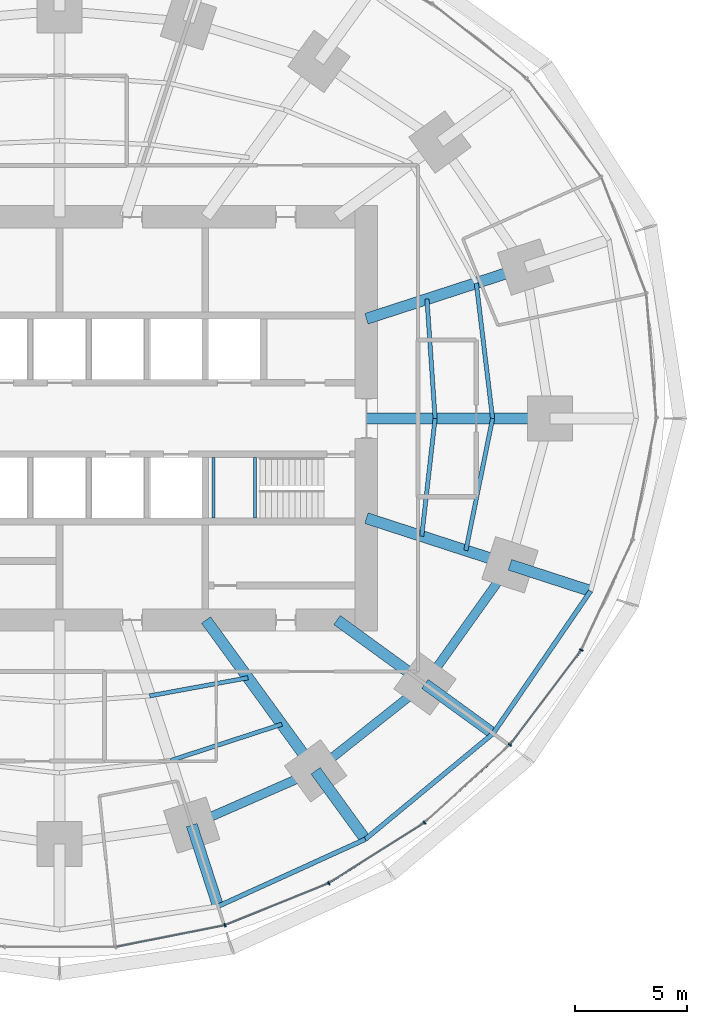
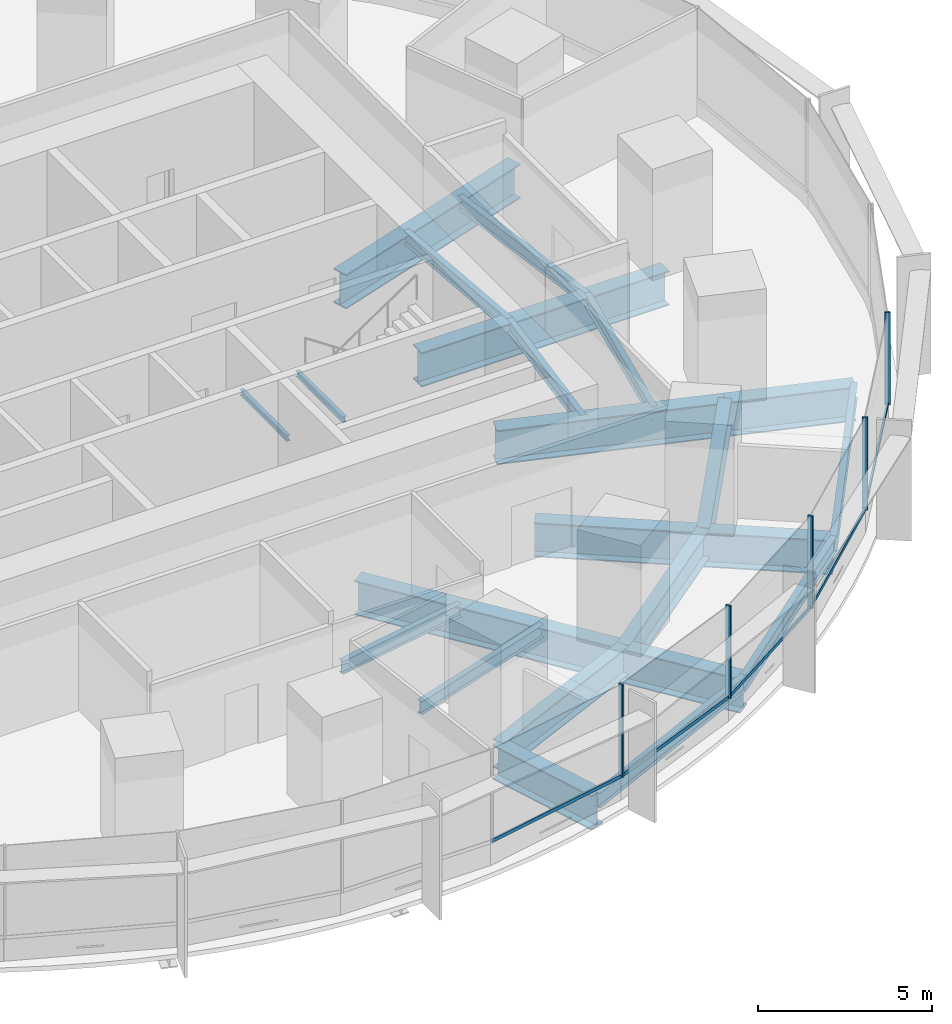
# One storey, part 5 of 15: 23 beams, 10 members, 2 elements without a shape of their own.
"""IFC4 building model written with IfcOpenShell, lengths in metres."""

from ifc_helpers import new_model, si_unit, direction, frame, origin, origin_2d, place, context, subcontext, project, spatial, rectangle, i_section, extrude, material, material_profile, profile_set, type_object, element, aggregate, save


model = new_model("IFC4")

# Units and contexts
model_context = context("Model", 3, precision=1e-05, world=origin(), true_north=direction((0.0, 1.0)))
body_context = subcontext(model_context, "Body", "Model", "MODEL_VIEW")
ifc_project = project(units=[si_unit("LENGTHUNIT", "METRE"), si_unit("AREAUNIT", "SQUARE_METRE"), si_unit("VOLUMEUNIT", "CUBIC_METRE"), si_unit("PLANEANGLEUNIT", "RADIAN"), si_unit("MASSUNIT", "GRAM", prefix="KILO")], contexts=[model_context])

# Site, building, storey
site_placement = place(None, origin())
site = spatial("IfcSite", under=ifc_project, at=site_placement, CompositionType="ELEMENT")
building_placement = place(site_placement, origin())
building = spatial("IfcBuilding", under=site, at=building_placement, Name="Marramba Exchange Tower", CompositionType="ELEMENT")
storey_placement = place(building_placement, frame((0.0, 0.0, 74.199951171875)))
storey = spatial("IfcBuildingStorey", under=building, at=storey_placement, Name="L17", CompositionType="ELEMENT", Elevation=74.199951171875)

# Beams
ifc_material_1 = material(Name="Steel AS/NZS 3679.2 grade 300", Category="steel")
ifc_material_profile_1 = material_profile(ifc_material_1, i_section(OverallWidth=0.5, OverallDepth=1.199951171875, WebThickness=0.01611328125, FlangeThickness=0.0400390625, at=origin_2d()), Name="1200WB455")
ifc_profile_set_1 = profile_set([ifc_material_profile_1], Name="Steel AS/NZS 3679.2 grade 300")
beam_type_1 = type_object("IfcBeamType", Name="Cantilever girder 1200WB455", PredefinedType="BEAM", material=ifc_profile_set_1)
beam_1_placement = place(storey_placement, frame((5.899658203125, -18.156982421875, -0.760009765625), z_axis=(0.309009272901, -0.951059025119, 0.0), x_axis=(0.951059025119, 0.309009272901, 0.0)))
element("IfcBeam", 1, at=beam_1_placement, inside=storey, type_object=beam_type_1, Name="Cantilever girder L17 TC17", PredefinedType="BEAM", context=body_context, shape_type="SweptSolid", body=[
    extrude(i_section(OverallWidth=0.5, OverallDepth=1.199951171875, WebThickness=0.01611328125, FlangeThickness=0.0400390625, at=origin_2d()), origin(), (0.0, 0.0, 1.0), 3.809814453125),
])
beam_2_placement = place(storey_placement, frame((11.430419921875, -15.732666015625, -0.760009765625), z_axis=(0.587787232741, -0.809015555491, 0.0), x_axis=(0.809015555491, 0.587787232741, 0.0)))
element("IfcBeam", 2, at=beam_2_placement, inside=storey, type_object=beam_type_1, Name="Cantilever girder L17 TC18", PredefinedType="BEAM", context=body_context, shape_type="SweptSolid", body=[
    extrude(i_section(OverallWidth=0.5, OverallDepth=1.199951171875, WebThickness=0.01611328125, FlangeThickness=0.0400390625, at=origin_2d()), origin(), (0.0, 0.0, 1.0), 3.7763671875),
])
beam_3_placement = place(storey_placement, frame((16.3154296875, -11.853759765625, -0.760009765625), z_axis=(0.809008346081, -0.587797155463, 0.0), x_axis=(0.587797155463, 0.809008346081, 0.0)))
element("IfcBeam", 3, at=beam_3_placement, inside=storey, type_object=beam_type_1, Name="Cantilever girder L17 TC19", PredefinedType="BEAM", context=body_context, shape_type="SweptSolid", body=[
    extrude(i_section(OverallWidth=0.5, OverallDepth=1.199951171875, WebThickness=0.01611328125, FlangeThickness=0.0400390625, at=origin_2d()), origin(), (0.0, 0.0, 1.0), 3.76025390625),
])
beam_4_placement = place(storey_placement, frame((20.109375, -6.533935546875, -0.760009765625), z_axis=(0.951048759501, -0.309040866314, 0.0), x_axis=(0.309040866314, 0.951048759501, 0.0)))
element("IfcBeam", 4, at=beam_4_placement, inside=storey, type_object=beam_type_1, Name="Cantilever girder L17 TC20", PredefinedType="BEAM", context=body_context, shape_type="SweptSolid", body=[
    extrude(i_section(OverallWidth=0.5, OverallDepth=1.199951171875, WebThickness=0.01611328125, FlangeThickness=0.0400390625, at=origin_2d()), origin(), (0.0, 0.0, 1.0), 3.78564453125),
])
ifc_material_2 = material(Name="Steel AS/NZS 3679.1 grade 300", Category="steel")
ifc_material_profile_2 = material_profile(ifc_material_2, i_section(OverallWidth=0.18994140625, OverallDepth=0.4541015625, WebThickness=0.008544921875, FlangeThickness=0.0126953125, FilletRadius=0.011474609375, at=origin_2d()), Name="460UB67.1")
ifc_profile_set_2 = profile_set([ifc_material_profile_2], Name="Steel AS/NZS 3679.1 grade 300")
beam_type_2 = type_object("IfcBeamType", Name="Floor joist 460UB67.1", PredefinedType="JOIST", material=ifc_profile_set_2)
beam_5_placement = place(storey_placement, frame((16.7666015625, 0.0, -0.386962890625), z_axis=(-0.068096259546, 0.99767875563, 0.0), x_axis=(-0.99767875563, -0.068096259546, 0.0)))
element("IfcBeam", 5, at=beam_5_placement, inside=storey, type_object=beam_type_2, Name="Joist L17 bay 01 row 1", PredefinedType="JOIST", context=body_context, shape_type="SweptSolid", body=[
    extrude(i_section(OverallWidth=0.18994140625, OverallDepth=0.4541015625, WebThickness=0.008544921875, FlangeThickness=0.0126953125, FilletRadius=0.011474609375, at=origin_2d()), origin(), (0.0, 0.0, 1.0), 5.342041015625),
])
beam_6_placement = place(storey_placement, frame((19.333251953125, 0.0, -0.386962890625), z_axis=(-0.119523078538, 0.992831422597, 0.0), x_axis=(-0.992831422597, -0.119523078538, 0.0)))
element("IfcBeam", 6, at=beam_6_placement, inside=storey, type_object=beam_type_2, Name="Joist L17 bay 01 row 2", PredefinedType="JOIST", context=body_context, shape_type="SweptSolid", body=[
    extrude(i_section(OverallWidth=0.18994140625, OverallDepth=0.4541015625, WebThickness=0.008544921875, FlangeThickness=0.0126953125, FilletRadius=0.011474609375, at=origin_2d()), origin(), (0.0, 0.0, 1.0), 6.089111328125),
])
beam_7_placement = place(storey_placement, frame((4.0244140625, -12.3857421875, -0.386962890625), z_axis=(0.983455754421, 0.181148500119, 0.0), x_axis=(-0.181148500119, 0.983455754421, 0.0)))
element("IfcBeam", 7, at=beam_7_placement, inside=storey, type_object=beam_type_2, Name="Joist L17 bay 17 row 1", PredefinedType="JOIST", context=body_context, shape_type="SweptSolid", body=[
    extrude(i_section(OverallWidth=0.18994140625, OverallDepth=0.4541015625, WebThickness=0.008544921875, FlangeThickness=0.0126953125, FilletRadius=0.011474609375, at=origin_2d()), origin(), (0.0, 0.0, 1.0), 4.4609375),
])
beam_8_placement = place(storey_placement, frame((4.9619140625, -15.271484375, -0.386962890625), z_axis=(0.950764024931, 0.309915744834, 0.0), x_axis=(-0.309915744834, 0.950764024931, 0.0)))
element("IfcBeam", 8, at=beam_8_placement, inside=storey, type_object=beam_type_2, Name="Joist L17 bay 17 row 2", PredefinedType="JOIST", context=body_context, shape_type="SweptSolid", body=[
    extrude(i_section(OverallWidth=0.18994140625, OverallDepth=0.4541015625, WebThickness=0.008544921875, FlangeThickness=0.0126953125, FilletRadius=0.011474609375, at=origin_2d()), origin(), (0.0, 0.0, 1.0), 5.2158203125),
])
beam_9_placement = place(storey_placement, frame((16.169677734375, -5.25390625, -0.386962890625), z_axis=(0.112888968594, 0.993607609054, 0.0), x_axis=(-0.993607609054, 0.112888968594, 0.0)))
element("IfcBeam", 9, at=beam_9_placement, inside=storey, type_object=beam_type_2, Name="Joist L17 bay 20 row 1", PredefinedType="JOIST", context=body_context, shape_type="SweptSolid", body=[
    extrude(i_section(OverallWidth=0.18994140625, OverallDepth=0.4541015625, WebThickness=0.008544921875, FlangeThickness=0.0126953125, FilletRadius=0.011474609375, at=origin_2d()), origin(), (0.0, 0.0, 1.0), 5.28759765625),
])
beam_10_placement = place(storey_placement, frame((18.1396484375, -5.893798828125, -0.386962890625), z_axis=(0.198489047047, 0.980103105904, 0.0), x_axis=(-0.980103105904, 0.198489047047, 0.0)))
element("IfcBeam", 10, at=beam_10_placement, inside=storey, type_object=beam_type_2, Name="Joist L17 bay 20 row 2", PredefinedType="JOIST", context=body_context, shape_type="SweptSolid", body=[
    extrude(i_section(OverallWidth=0.18994140625, OverallDepth=0.4541015625, WebThickness=0.008544921875, FlangeThickness=0.0126953125, FilletRadius=0.011474609375, at=origin_2d()), origin(), (0.0, 0.0, 1.0), 6.013427734375),
])
ifc_material_profile_3 = material_profile(ifc_material_1, i_section(OverallWidth=0.5, OverallDepth=1.199951171875, WebThickness=0.01611328125, FlangeThickness=0.0400390625, at=origin_2d()), Name="1200WB455")
ifc_profile_set_3 = profile_set([ifc_material_profile_3], Name="Steel AS/NZS 3679.2 grade 300")
beam_type_3 = type_object("IfcBeamType", Name="Radial girder 1200WB455", PredefinedType="BEAM", material=ifc_profile_set_3)
beam_11_placement = place(storey_placement, frame((13.699951171875, 0.0, -0.760009765625), z_axis=(1.0, 0.0, 0.0), x_axis=(0.0, 1.0, 0.0)))
element("IfcBeam", 11, at=beam_11_placement, inside=storey, type_object=beam_type_3, Name="Radial girder L17 TC01", PredefinedType="BEAM", context=body_context, shape_type="SweptSolid", body=[
    extrude(i_section(OverallWidth=0.5, OverallDepth=1.199951171875, WebThickness=0.01611328125, FlangeThickness=0.0400390625, at=origin_2d()), origin(), (0.0, 0.0, 1.0), 8.199951171875),
])
beam_12_placement = place(storey_placement, frame((13.699951171875, 4.451416015625, -0.760009765625), z_axis=(0.951059990189, 0.309006302624, 0.0), x_axis=(-0.309006302624, 0.951059990189, 0.0)))
element("IfcBeam", 12, at=beam_12_placement, inside=storey, type_object=beam_type_3, Name="Radial girder L17 TC02", PredefinedType="BEAM", context=body_context, shape_type="SweptSolid", body=[
    extrude(i_section(OverallWidth=0.5, OverallDepth=1.199951171875, WebThickness=0.01611328125, FlangeThickness=0.0400390625, at=origin_2d()), origin(), (0.0, 0.0, 1.0), 7.47412109375),
])
beam_13_placement = place(storey_placement, frame((6.538818359375, -9.0, -0.760009765625), z_axis=(0.587787877172, -0.809015087282, 0.0), x_axis=(0.809015087282, 0.587787877172, 0.0)))
element("IfcBeam", 13, at=beam_13_placement, inside=storey, type_object=beam_type_3, Name="Radial girder L17 TC18", PredefinedType="BEAM", context=body_context, shape_type="SweptSolid", body=[
    extrude(i_section(OverallWidth=0.5, OverallDepth=1.199951171875, WebThickness=0.01611328125, FlangeThickness=0.0400390625, at=origin_2d()), origin(), (0.0, 0.0, 1.0), 8.322021484375),
])
beam_14_placement = place(storey_placement, frame((12.387451171875, -9.0, -0.760009765625), z_axis=(0.809025189606, -0.58777397236, 0.0), x_axis=(0.58777397236, 0.809025189606, 0.0)))
element("IfcBeam", 14, at=beam_14_placement, inside=storey, type_object=beam_type_3, Name="Radial girder L17 TC19", PredefinedType="BEAM", context=body_context, shape_type="SweptSolid", body=[
    extrude(i_section(OverallWidth=0.5, OverallDepth=1.199951171875, WebThickness=0.01611328125, FlangeThickness=0.0400390625, at=origin_2d()), origin(), (0.0, 0.0, 1.0), 4.855224609375),
])
beam_15_placement = place(storey_placement, frame((13.699951171875, -4.451416015625, -0.760009765625), z_axis=(0.951057759669, -0.309013167637, 0.0), x_axis=(0.309013167637, 0.951057759669, 0.0)))
element("IfcBeam", 15, at=beam_15_placement, inside=storey, type_object=beam_type_3, Name="Radial girder L17 TC20", PredefinedType="BEAM", context=body_context, shape_type="SweptSolid", body=[
    extrude(i_section(OverallWidth=0.5, OverallDepth=1.199951171875, WebThickness=0.01611328125, FlangeThickness=0.0400390625, at=origin_2d()), origin(), (0.0, 0.0, 1.0), 6.7392578125),
])
ifc_material_profile_4 = material_profile(ifc_material_1, i_section(OverallWidth=0.39990234375, OverallDepth=1.0, WebThickness=0.01611328125, FlangeThickness=0.031982421875, at=origin_2d()), Name="1000WB322")
ifc_profile_set_4 = profile_set([ifc_material_profile_4], Name="Steel AS/NZS 3679.2 grade 300")
beam_type_4 = type_object("IfcBeamType", Name="Ring beam 1000WB322", PredefinedType="SPANDREL", material=ifc_profile_set_4)
beam_16_placement = place(storey_placement, frame((5.899658203125, -18.156982421875, -0.659912109375), z_axis=(0.915876892158, 0.4014592363, 0.0), x_axis=(-0.4014592363, 0.915876892158, 0.0)))
element("IfcBeam", 16, at=beam_16_placement, inside=storey, type_object=beam_type_4, Name="Ring beam L17 TC17-TC18", PredefinedType="SPANDREL", context=body_context, shape_type="SweptSolid", body=[
    extrude(i_section(OverallWidth=0.39990234375, OverallDepth=1.0, WebThickness=0.01611328125, FlangeThickness=0.031982421875, at=origin_2d()), origin(), (0.0, 0.0, 1.0), 6.038818359375),
])
beam_17_placement = place(storey_placement, frame((11.430419921875, -15.732666015625, -0.659912109375), z_axis=(0.783139438128, 0.621846138887, 0.0), x_axis=(-0.621846138887, 0.783139438128, 0.0)))
element("IfcBeam", 17, at=beam_17_placement, inside=storey, type_object=beam_type_4, Name="Ring beam L17 TC18-TC19", PredefinedType="SPANDREL", context=body_context, shape_type="SweptSolid", body=[
    extrude(i_section(OverallWidth=0.39990234375, OverallDepth=1.0, WebThickness=0.01611328125, FlangeThickness=0.031982421875, at=origin_2d()), origin(), (0.0, 0.0, 1.0), 6.23779296875),
])
beam_18_placement = place(storey_placement, frame((16.3154296875, -11.853759765625, -0.659912109375), z_axis=(0.580637181111, 0.814162430914, 0.0), x_axis=(-0.814162430914, 0.580637181111, 0.0)))
element("IfcBeam", 18, at=beam_18_placement, inside=storey, type_object=beam_type_4, Name="Ring beam L17 TC19-TC20", PredefinedType="SPANDREL", context=body_context, shape_type="SweptSolid", body=[
    extrude(i_section(OverallWidth=0.39990234375, OverallDepth=1.0, WebThickness=0.01611328125, FlangeThickness=0.031982421875, at=origin_2d()), origin(), (0.0, 0.0, 1.0), 6.5341796875),
])
ifc_material_profile_5 = material_profile(ifc_material_2, i_section(OverallWidth=0.208984375, OverallDepth=0.528076171875, WebThickness=0.009521484375, FlangeThickness=0.01318359375, FilletRadius=0.013916015625, at=origin_2d()), Name="530UB82.0")
ifc_profile_set_5 = profile_set([ifc_material_profile_5], Name="Steel AS/NZS 3679.1 grade 300")
beam_type_5 = type_object("IfcBeamType", Name="Slab edge beam 530UB82.0", PredefinedType="SPANDREL", material=ifc_profile_set_5)
beam_19_placement = place(storey_placement, frame((7.076904296875, -21.7802734375, -0.424072265625), z_axis=(0.910126690081, 0.414330071324, 0.0), x_axis=(-0.414330071324, 0.910126690081, 0.0)))
element("IfcBeam", 19, at=beam_19_placement, inside=storey, type_object=beam_type_5, Name="Slab edge beam L17 TC17-TC18", PredefinedType="SPANDREL", context=body_context, shape_type="SweptSolid", body=[
    extrude(i_section(OverallWidth=0.208984375, OverallDepth=0.528076171875, WebThickness=0.009521484375, FlangeThickness=0.01318359375, FilletRadius=0.013916015625, at=origin_2d()), origin(), (0.0, 0.0, 1.0), 7.222412109375),
])
beam_20_placement = place(storey_placement, frame((13.650146484375, -18.787841796875, -0.424072265625), z_axis=(0.770353575372, 0.637616945283, 0.0), x_axis=(-0.637616945283, 0.770353575372, 0.0)))
element("IfcBeam", 20, at=beam_20_placement, inside=storey, type_object=beam_type_5, Name="Slab edge beam L17 TC18-TC19", PredefinedType="SPANDREL", context=body_context, shape_type="SweptSolid", body=[
    extrude(i_section(OverallWidth=0.208984375, OverallDepth=0.528076171875, WebThickness=0.009521484375, FlangeThickness=0.01318359375, FilletRadius=0.013916015625, at=origin_2d()), origin(), (0.0, 0.0, 1.0), 7.40869140625),
])
beam_21_placement = place(storey_placement, frame((19.357421875, -14.06396484375, -0.424072265625), z_axis=(0.564740697285, 0.82526840775, 0.0), x_axis=(-0.82526840775, 0.564740697285, 0.0)))
element("IfcBeam", 21, at=beam_21_placement, inside=storey, type_object=beam_type_5, Name="Slab edge beam L17 TC19-TC20", PredefinedType="SPANDREL", context=body_context, shape_type="SweptSolid", body=[
    extrude(i_section(OverallWidth=0.208984375, OverallDepth=0.528076171875, WebThickness=0.009521484375, FlangeThickness=0.01318359375, FilletRadius=0.013916015625, at=origin_2d()), origin(), (0.0, 0.0, 1.0), 7.706787109375),
])
ifc_material_profile_6 = material_profile(ifc_material_2, i_section(OverallWidth=0.133056640625, OverallDepth=0.202880859375, WebThickness=0.005859375, FlangeThickness=0.0078125, FilletRadius=0.0087890625, at=origin_2d()), Name="200UB25.4")
ifc_profile_set_6 = profile_set([ifc_material_profile_6], Name="Steel AS/NZS 3679.1 grade 300")
beam_type_6 = type_object("IfcBeamType", Name="Stair landing beam 200UB25.4", PredefinedType="BEAM", material=ifc_profile_set_6)
for number, where, z_axis, x_axis, name in (
    (22, (6.866455078125, -4.449951171875, 1.798583984375), (0.0, 1.0, 0.0), (-1.0, 0.0, 0.0), "Stair landing beam SLB1 ST2 L17 1"),
    (23, (8.723388671875, -4.449951171875, 1.798583984375), (0.0, 1.0, 0.0), (-1.0, 0.0, 0.0), "Stair landing beam SLB1 ST2 L17 2"),
):
    element("IfcBeam", number, at=place(storey_placement, frame(where, z_axis=z_axis, x_axis=x_axis)), inside=storey, type_object=beam_type_6, Name=name, PredefinedType="BEAM", context=body_context, shape_type="SweptSolid", body=[
        extrude(i_section(OverallWidth=0.133056640625, OverallDepth=0.202880859375, WebThickness=0.005859375, FlangeThickness=0.0078125, FilletRadius=0.0087890625, at=origin_2d()), origin(), (0.0, 0.0, 1.0), 2.699951171875),
    ])

# Curtain wall, member
ifc_material_3 = material(Name="Aluminium framing, bronze anodised", Category="aluminium")
curtain_wall_type = type_object("IfcCurtainWallType", Name="Trading floor ribbon curtain wall", PredefinedType="USERDEFINED", material=ifc_material_3)
curtain_wall_1_placement = place(storey_placement, origin())
curtain_wall_1 = element("IfcCurtainWall", 24, at=curtain_wall_1_placement, inside=storey, type_object=curtain_wall_type, Name="Curtain wall CW3 L17 F21-F25", ObjectType="RIBBON CURTAIN WALL", PredefinedType="USERDEFINED")
ifc_material_4 = material(Name="Aluminium mullion, bronze anodised", Category="aluminium")
ifc_material_profile_7 = material_profile(ifc_material_4, rectangle(XDim=0.159912109375, YDim=0.06005859375, at=origin_2d()), Name="CW3 mullion 60x160")
ifc_profile_set_7 = profile_set([ifc_material_profile_7], Name="Aluminium mullion, bronze anodised")
member_type_1 = type_object("IfcMemberType", Name="Trading floor ribbon curtain wall mullion", PredefinedType="MULLION", material=ifc_profile_set_7)
member_1_placement = place(storey_placement, frame((7.3828125, -22.625, 0.800048828125), z_axis=(0.0, 0.0, 1.0), x_axis=(-0.374218219325, 0.927340673283, 0.0)))
member_1 = element("IfcMember", 25, at=member_1_placement, type_object=member_type_1, Name="CW3 mullion 1", PredefinedType="MULLION", context=body_context, shape_type="SweptSolid", body=[
    extrude(rectangle(XDim=0.159912109375, YDim=0.06005859375, at=origin_2d()), origin(), (0.0, 0.0, 1.0), 3.239990234375),
])

# Curtain wall, members
curtain_wall_2_placement = place(storey_placement, origin())
curtain_wall_2 = element("IfcCurtainWall", 26, at=curtain_wall_2_placement, inside=storey, type_object=curtain_wall_type, Name="Curtain wall CW3 L17 F26-F30", ObjectType="RIBBON CURTAIN WALL", PredefinedType="USERDEFINED")
member_2_placement = place(storey_placement, frame((12.0146484375, -20.75, 0.800048828125), z_axis=(0.0, 0.0, 1.0), x_axis=(-0.533514646612, 0.845790826298, 0.0)))
member_2 = element("IfcMember", 27, at=member_2_placement, type_object=member_type_1, Name="CW3 mullion 1", PredefinedType="MULLION", context=body_context, shape_type="SweptSolid", body=[
    extrude(rectangle(XDim=0.159912109375, YDim=0.06005859375, at=origin_2d()), origin(), (0.0, 0.0, 1.0), 3.239990234375),
])
member_3_placement = place(storey_placement, frame((16.2900390625, -18.047119140625, 0.800048828125), z_axis=(0.0, 0.0, 1.0), x_axis=(-0.673058133441, 0.739589581463, 0.0)))
member_3 = element("IfcMember", 28, at=member_3_placement, type_object=member_type_1, Name="CW3 mullion 1", PredefinedType="MULLION", context=body_context, shape_type="SweptSolid", body=[
    extrude(rectangle(XDim=0.159912109375, YDim=0.06005859375, at=origin_2d()), origin(), (0.0, 0.0, 1.0), 3.239990234375),
])
member_4_placement = place(storey_placement, frame((20.103515625, -14.569091796875, 0.800048828125), z_axis=(0.0, 0.0, 1.0), x_axis=(-0.797710591138, 0.603040473588, 0.0)))
member_4 = element("IfcMember", 29, at=member_4_placement, type_object=member_type_1, Name="CW3 mullion 1", PredefinedType="MULLION", context=body_context, shape_type="SweptSolid", body=[
    extrude(rectangle(XDim=0.159912109375, YDim=0.06005859375, at=origin_2d()), origin(), (0.0, 0.0, 1.0), 3.239990234375),
])
member_5_placement = place(storey_placement, frame((23.2939453125, -10.33837890625, 0.800048828125), z_axis=(0.0, 0.0, 1.0), x_axis=(-0.905906758768, 0.423477206492, 0.0)))
member_5 = element("IfcMember", 30, at=member_5_placement, type_object=member_type_1, Name="CW3 mullion 1", PredefinedType="MULLION", context=body_context, shape_type="SweptSolid", body=[
    extrude(rectangle(XDim=0.159912109375, YDim=0.06005859375, at=origin_2d()), origin(), (0.0, 0.0, 1.0), 3.239990234375),
])

# Member
ifc_material_5 = material(Name="Aluminium transom, bronze anodised", Category="aluminium")
ifc_material_profile_8 = material_profile(ifc_material_5, rectangle(XDim=0.06005859375, YDim=0.1201171875, at=origin_2d()), Name="CW3 transom 60x120")
ifc_profile_set_8 = profile_set([ifc_material_profile_8], Name="Aluminium transom, bronze anodised")
member_type_2 = type_object("IfcMemberType", Name="Trading floor ribbon curtain wall transom", PredefinedType="USERDEFINED", material=ifc_profile_set_8)
member_6_placement = place(storey_placement, frame((2.539306640625, -23.58837890625, 0.830078125), z_axis=(0.981008707181, 0.193963698758, 0.0), x_axis=(-0.193963698758, 0.981008707181, 0.0)))
member_6 = element("IfcMember", 31, at=member_6_placement, type_object=member_type_2, Name="CW3 sill transom", ObjectType="TRANSOM", PredefinedType="USERDEFINED", context=body_context, shape_type="SweptSolid", body=[
    extrude(rectangle(XDim=0.06005859375, YDim=0.1201171875, at=origin_2d()), origin(), (0.0, 0.0, 1.0), 4.908935546875),
])

member_7_placement = place(storey_placement, frame((7.41064453125, -22.61376953125, 0.830078125), z_axis=(0.927340197166, 0.374219399176, 0.0), x_axis=(-0.374219399176, 0.927340197166, 0.0)))
member_7 = element("IfcMember", 32, at=member_7_placement, type_object=member_type_2, Name="CW3 sill transom", ObjectType="TRANSOM", PredefinedType="USERDEFINED", context=body_context, shape_type="SweptSolid", body=[
    extrude(rectangle(XDim=0.06005859375, YDim=0.1201171875, at=origin_2d()), origin(), (0.0, 0.0, 1.0), 4.937255859375),
])

aggregate(curtain_wall_1, [member_6, member_1, member_7])

member_8_placement = place(storey_placement, frame((12.0400390625, -20.734130859375, 0.830078125), z_axis=(0.845776602594, 0.533537195053, 0.0), x_axis=(-0.533537195053, 0.845776602594, 0.0)))
member_8 = element("IfcMember", 33, at=member_8_placement, type_object=member_type_2, Name="CW3 sill transom", ObjectType="TRANSOM", PredefinedType="USERDEFINED", context=body_context, shape_type="SweptSolid", body=[
    extrude(rectangle(XDim=0.06005859375, YDim=0.1201171875, at=origin_2d()), origin(), (0.0, 0.0, 1.0), 4.998779296875),
])

member_9_placement = place(storey_placement, frame((16.312255859375, -18.02685546875, 0.830078125), z_axis=(0.739582688456, 0.673065707741, 0.0), x_axis=(-0.673065707741, 0.739582688456, 0.0)))
member_9 = element("IfcMember", 34, at=member_9_placement, type_object=member_type_2, Name="CW3 sill transom", ObjectType="TRANSOM", PredefinedType="USERDEFINED", context=body_context, shape_type="SweptSolid", body=[
    extrude(rectangle(XDim=0.06005859375, YDim=0.1201171875, at=origin_2d()), origin(), (0.0, 0.0, 1.0), 5.101806640625),
])

member_10_placement = place(storey_placement, frame((20.12158203125, -14.545166015625, 0.830078125), z_axis=(0.603037409419, 0.797712907531, 0.0), x_axis=(-0.797712907531, 0.603037409419, 0.0)))
member_10 = element("IfcMember", 35, at=member_10_placement, type_object=member_type_2, Name="CW3 sill transom", ObjectType="TRANSOM", PredefinedType="USERDEFINED", context=body_context, shape_type="SweptSolid", body=[
    extrude(rectangle(XDim=0.06005859375, YDim=0.1201171875, at=origin_2d()), origin(), (0.0, 0.0, 1.0), 5.239501953125),
])

aggregate(curtain_wall_2, [member_2, member_8, member_3, member_9, member_4, member_10, member_5])

save(model, "model.ifc")
